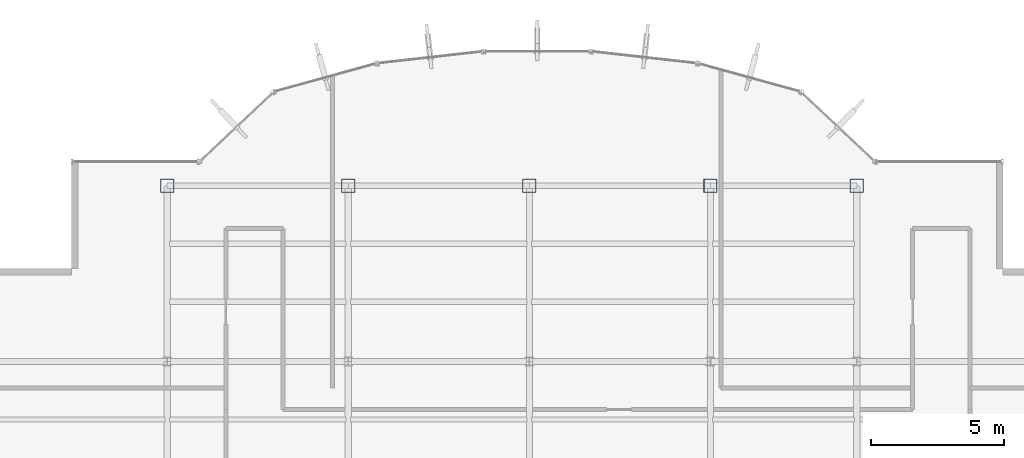
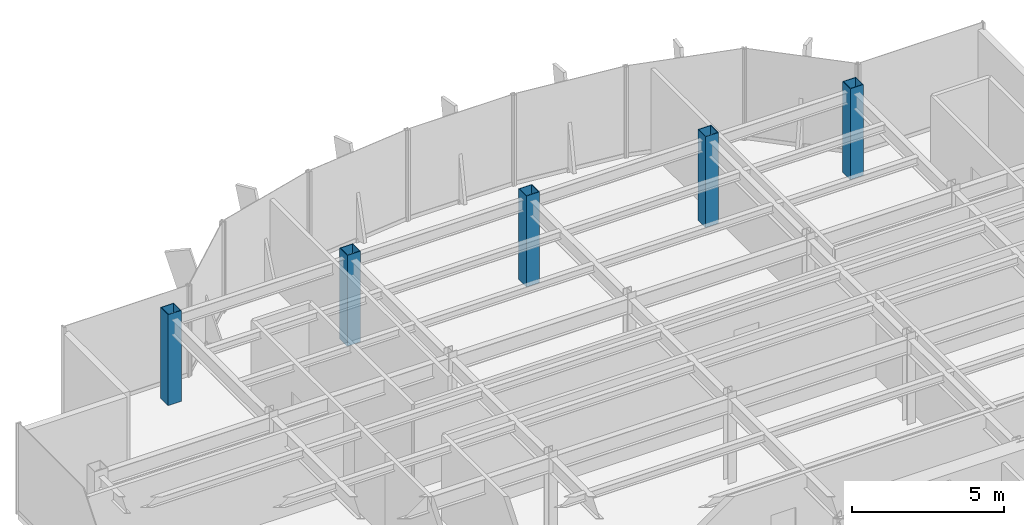
# One storey, part 2 of 22: 5 columns.
"""IFC4 building model written with IfcOpenShell, lengths in metres."""

from ifc_helpers import new_model, si_unit, derived_unit, direction, frame, origin, origin_2d, place, context, subcontext, project, spatial, hollow_rectangle, extrude, source, transform, mapped, material, material_profile, profile_set, type_object, element, save


model = new_model("IFC4")

# Units and contexts
model_context = context("Model", 3, precision=1e-05, world=origin(), true_north=direction((0.0, 1.0)))
body_context = subcontext(model_context, "Body", "Model", "MODEL_VIEW")
ifc_project = project(units=[si_unit("LENGTHUNIT", "METRE"), si_unit("AREAUNIT", "SQUARE_METRE"), si_unit("VOLUMEUNIT", "CUBIC_METRE"), si_unit("PLANEANGLEUNIT", "RADIAN"), si_unit("MASSUNIT", "GRAM", prefix="KILO"), derived_unit("THERMALTRANSMITTANCEUNIT", [(si_unit("POWERUNIT", "WATT"), 1), (si_unit("LENGTHUNIT", "METRE"), -2), (si_unit("THERMODYNAMICTEMPERATUREUNIT", "KELVIN"), -1)])], contexts=[model_context])

# Site, building, storey
site_placement = place(None, origin())
site = spatial("IfcSite", under=ifc_project, at=site_placement, CompositionType="ELEMENT")
building_placement = place(site_placement, origin())
building = spatial("IfcBuilding", under=site, at=building_placement, Name="Skarnbrae Concourse Arena and Tower", CompositionType="ELEMENT")
storey_placement = place(building_placement, frame((0.0, 0.0, 244.199951171875)))
storey = spatial("IfcBuildingStorey", under=building, at=storey_placement, Name="L63", CompositionType="ELEMENT", Elevation=244.199951171875)

# Columns
ifc_material = material(Name="Steel CSA G40.21 350W", Category="steel")
ifc_material_profile = material_profile(ifc_material, hollow_rectangle(XDim=0.5, YDim=0.5, WallThickness=0.02197265625, at=origin_2d()), Name="HSS500X500X22.0")
ifc_profile_set = profile_set([ifc_material_profile], Name="Steel CSA G40.21 350W")
column_type = type_object("IfcColumnType", Name="COL-TUBE-HSS500", PredefinedType="COLUMN", material=ifc_profile_set)
shared_shape = source(origin(), body_context, "Body", "SweptSolid", [
    extrude(hollow_rectangle(XDim=0.5, YDim=0.5, WallThickness=0.02197265625, at=origin_2d()), origin(), (0.0, 0.0, 1.0), 3.650146484375),
])
for number, where, z_axis, x_axis, name in (
    (1, (7.60009765625, 34.39990234375, 0.0), (0.0, 0.0, 1.0), (1.0, 0.0, 0.0), "L63 Tower column PC_02_05"),
    (2, (14.39990234375, 34.39990234375, 0.0), (0.0, 0.0, 1.0), (1.0, 0.0, 0.0), "L63 Tower column PC_03_05"),
    (3, (21.199951171875, 34.39990234375, 0.0), (0.0, 0.0, 1.0), (1.0, 0.0, 0.0), "L63 Tower column PC_04_05"),
    (4, (28.0, 34.39990234375, 0.0), (0.0, 0.0, 1.0), (1.0, 0.0, 0.0), "L63 Tower column PC_05_05"),
    (5, (33.5, 34.39990234375, 0.0), (0.0, 0.0, 1.0), (1.0, 0.0, 0.0), "L63 Tower column PC_06_05"),
):
    element("IfcColumn", number, at=place(storey_placement, frame(where, z_axis=z_axis, x_axis=x_axis)), inside=storey, type_object=column_type, Name=name, PredefinedType="COLUMN", context=body_context, shape_type="MappedRepresentation", body=[
        mapped(shared_shape, transform((0.0, 0.0, 0.0))),
    ])

save(model, "model.ifc")
